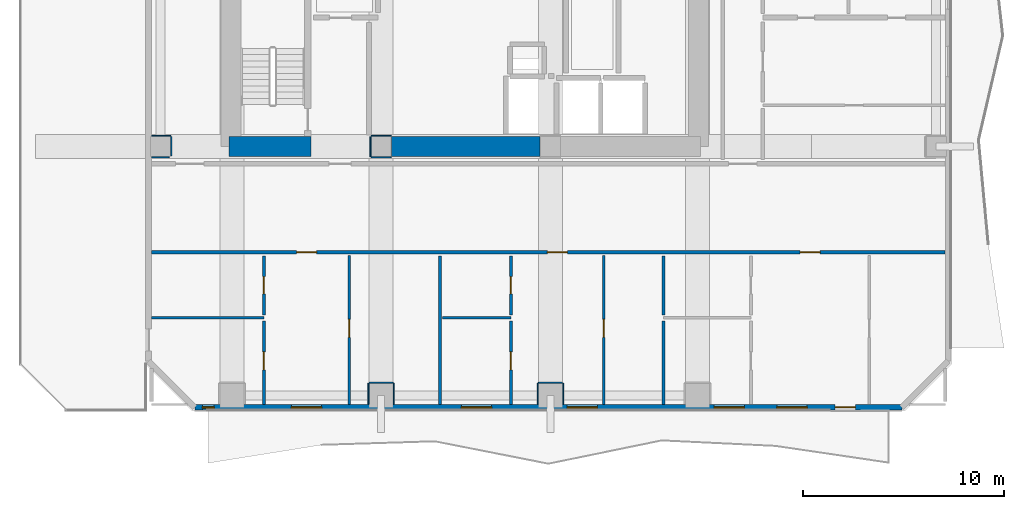
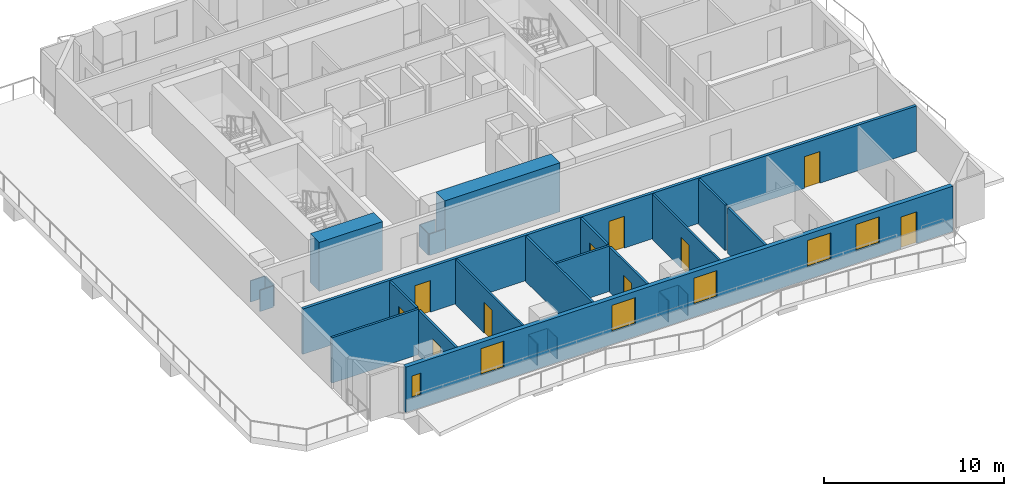
# One storey, part 2 of 10: 27 walls, 10 doors, 6 windows, 16 openings.
"""IFC4 building model written with IfcOpenShell, lengths in metres."""

from ifc_helpers import new_model, si_unit, direction, frame, frame_2d, origin, place, context, subcontext, project, spatial, rectangle, extrude, material, layer, layer_set, type_object, element, fill, save


model = new_model("IFC4")

# Units and contexts
model_context = context("Model", 3, precision=1e-05, world=origin(), true_north=direction((0.0, 1.0)))
body_context = subcontext(model_context, "Body", "Model", "MODEL_VIEW")
ifc_project = project(units=[si_unit("LENGTHUNIT", "METRE"), si_unit("AREAUNIT", "SQUARE_METRE"), si_unit("VOLUMEUNIT", "CUBIC_METRE"), si_unit("PLANEANGLEUNIT", "RADIAN"), si_unit("MASSUNIT", "GRAM", prefix="KILO")], contexts=[model_context])

# Site, building, storey
site_placement = place(None, origin())
site = spatial("IfcSite", under=ifc_project, at=site_placement, CompositionType="ELEMENT")
building_placement = place(site_placement, origin())
building = spatial("IfcBuilding", under=site, at=building_placement, Name="Solanera Arch Residences", CompositionType="ELEMENT")
storey_placement = place(building_placement, frame((0.0, 0.0, 126.0)))
storey = spatial("IfcBuildingStorey", under=building, at=storey_placement, Name="L36", CompositionType="ELEMENT", Elevation=126.0)

# Walls
ifc_material_1 = material(Name="Fire-Rated Gypsum Stud Partition", Category="gypsum")
ifc_layer_1 = layer(ifc_material_1, 0.06005859375)
ifc_layer_set_1 = layer_set([ifc_layer_1], Name="Fire-Rated Gypsum Stud Partition")
wall_type_1 = type_object("IfcWallType", Name="Column Acoustic Furring Wall 60", PredefinedType="PARTITIONING", material=ifc_layer_set_1)
for number, where, z_axis, x_axis, name in (
    (1, (20.300048828125, 21.468017578125, 0.0), (0.0, 0.0, 1.0), (1.0, 0.0, 0.0), "L36 Column Furring 1S"),
    (2, (20.300048828125, 22.531982421875, 0.0), (0.0, 0.0, 1.0), (1.0, 0.0, 0.0), "L36 Column Furring 1N"),
    (3, (20.26806640625, 21.5, 0.0), (0.0, 0.0, 1.0), (0.0, 1.0, 0.0), "L36 Column Furring 1W"),
):
    element("IfcWall", number, at=place(storey_placement, frame(where, z_axis=z_axis, x_axis=x_axis)), inside=storey, type_object=wall_type_1, Name=name, PredefinedType="PARTITIONING", context=body_context, shape_type="SweptSolid", body=[
        extrude(rectangle(XDim=1.0, YDim=0.06005859375, at=frame_2d((0.5, 0.0))), origin(), (0.0, 0.0, 1.0), 1.449951171875),
    ])
wall_1_placement = place(storey_placement, frame((20.199951171875, 10.281982421875, 0.0), z_axis=(0.0, 0.0, 1.0), x_axis=(1.0, 0.0, 0.0)))
element("IfcWall", 4, at=wall_1_placement, inside=storey, type_object=wall_type_1, Name="L36 Column Furring 11N", PredefinedType="PARTITIONING", context=body_context, shape_type="SweptSolid", body=[
    extrude(rectangle(XDim=1.199951171875, YDim=0.06005859375, at=frame_2d((0.60009765625, 0.0))), origin(), (0.0, 0.0, 1.0), 1.449951171875),
])
for number, where, z_axis, x_axis, name in (
    (5, (20.16796875, 9.2099609375, 0.0), (0.0, 0.0, 1.0), (0.0, 1.0, 0.0), "L36 Column Furring 11W"),
    (6, (21.431884765625, 9.2099609375, 0.0), (0.0, 0.0, 1.0), (0.0, 1.0, 0.0), "L36 Column Furring 11E"),
):
    element("IfcWall", number, at=place(storey_placement, frame(where, z_axis=z_axis, x_axis=x_axis)), inside=storey, type_object=wall_type_1, Name=name, PredefinedType="PARTITIONING", context=body_context, shape_type="SweptSolid", body=[
        extrude(rectangle(XDim=1.0400390625, YDim=0.06005859375, at=frame_2d((0.52001953125, 0.0))), origin(), (0.0, 0.0, 1.0), 1.449951171875),
    ])
wall_2_placement = place(storey_placement, frame((28.60009765625, 10.281982421875, 0.0), z_axis=(0.0, 0.0, 1.0), x_axis=(1.0, 0.0, 0.0)))
element("IfcWall", 7, at=wall_2_placement, inside=storey, type_object=wall_type_1, Name="L36 Column Furring 13N", PredefinedType="PARTITIONING", context=body_context, shape_type="SweptSolid", body=[
    extrude(rectangle(XDim=1.199951171875, YDim=0.06005859375, at=frame_2d((0.60009765625, 0.0))), origin(), (0.0, 0.0, 1.0), 1.449951171875),
])
for number, where, z_axis, x_axis, name in (
    (8, (28.568115234375, 9.2099609375, 0.0), (0.0, 0.0, 1.0), (0.0, 1.0, 0.0), "L36 Column Furring 13W"),
    (9, (29.83203125, 9.2099609375, 0.0), (0.0, 0.0, 1.0), (0.0, 1.0, 0.0), "L36 Column Furring 13E"),
):
    element("IfcWall", number, at=place(storey_placement, frame(where, z_axis=z_axis, x_axis=x_axis)), inside=storey, type_object=wall_type_1, Name=name, PredefinedType="PARTITIONING", context=body_context, shape_type="SweptSolid", body=[
        extrude(rectangle(XDim=1.0400390625, YDim=0.06005859375, at=frame_2d((0.52001953125, 0.0))), origin(), (0.0, 0.0, 1.0), 1.449951171875),
    ])
wall_3_placement = place(storey_placement, frame((9.409912109375, 21.468017578125, 0.0), z_axis=(0.0, 0.0, 1.0), x_axis=(1.0, 0.0, 0.0)))
element("IfcWall", 10, at=wall_3_placement, inside=storey, type_object=wall_type_1, Name="L36 Column Furring 17S", PredefinedType="PARTITIONING", context=body_context, shape_type="SweptSolid", body=[
    extrude(rectangle(XDim=0.87109375, YDim=0.06005859375, at=frame_2d((0.435546875, 0.0))), origin(), (0.0, 0.0, 1.0), 1.449951171875),
])
wall_4_placement = place(storey_placement, frame((9.409912109375, 22.531982421875, 0.0), z_axis=(0.0, 0.0, 1.0), x_axis=(1.0, 0.0, 0.0)))
element("IfcWall", 11, at=wall_4_placement, inside=storey, type_object=wall_type_1, Name="L36 Column Furring 17N", PredefinedType="PARTITIONING", context=body_context, shape_type="SweptSolid", body=[
    extrude(rectangle(XDim=0.940185546875, YDim=0.06005859375, at=frame_2d((0.47021484375, 0.0))), origin(), (0.0, 0.0, 1.0), 1.449951171875),
])
wall_5_placement = place(storey_placement, frame((10.382080078125, 21.5439453125, 0.0), z_axis=(0.0, 0.0, 1.0), x_axis=(0.0, 1.0, 0.0)))
element("IfcWall", 12, at=wall_5_placement, inside=storey, type_object=wall_type_1, Name="L36 Column Furring 17E", PredefinedType="PARTITIONING", context=body_context, shape_type="SweptSolid", body=[
    extrude(rectangle(XDim=0.9560546875, YDim=0.06005859375, at=frame_2d((0.47802734375, 0.0))), origin(), (0.0, 0.0, 1.0), 1.449951171875),
])
ifc_material_2 = material(Name="Concrete C55/67 (f'c = 60 MPa)", Category="concrete")
ifc_layer_2 = layer(ifc_material_2, 1.0)
ifc_layer_set_2 = layer_set([ifc_layer_2], Name="Concrete C55/67 (f'c = 60 MPa)")
wall_type_2 = type_object("IfcWallType", Name="Core Shear Wall CW-1000", PredefinedType="SHEAR", material=ifc_layer_set_2)
wall_6_placement = place(storey_placement, frame((13.239990234375, 22.0, 0.0), z_axis=(0.0, 0.0, 1.0), x_axis=(1.0, 0.0, 0.0)))
element("IfcWall", 13, at=wall_6_placement, inside=storey, type_object=wall_type_2, Name="L36 South-West Core Shear Wall", PredefinedType="SHEAR", context=body_context, shape_type="SweptSolid", body=[
    extrude(rectangle(XDim=4.080078125, YDim=1.0, at=frame_2d((2.0400390625, 0.0))), origin(), (0.0, 0.0, 1.0), 3.320068359375),
])
wall_7_placement = place(storey_placement, frame((21.304931640625, 22.0, 0.0), z_axis=(0.0, 0.0, 1.0), x_axis=(1.0, 0.0, 0.0)))
element("IfcWall", 14, at=wall_7_placement, inside=storey, type_object=wall_type_2, Name="L36 Central South Core Shear Wall", PredefinedType="SHEAR", context=body_context, shape_type="SweptSolid", body=[
    extrude(rectangle(XDim=7.39013671875, YDim=1.0, at=frame_2d((3.695068359375, 0.0))), origin(), (0.0, 0.0, 1.0), 3.320068359375),
])

# Wall, openings, doors
ifc_material_3 = material(Name="Autoclaved Aerated Concrete Blockwork", Category="masonry")
ifc_layer_3 = layer(ifc_material_3, 0.179931640625)
ifc_layer_set_3 = layer_set([ifc_layer_3], Name="Autoclaved Aerated Concrete Blockwork")
wall_type_3 = type_object("IfcWallType", Name="Corridor Fire Partition 180", PredefinedType="PARTITIONING", material=ifc_layer_set_3)
wall_8_placement = place(storey_placement, frame((9.406982421875, 16.75, 0.0), z_axis=(0.0, 0.0, 1.0), x_axis=(1.0, 0.0, 0.0)))
wall_8 = element("IfcWall", 15, at=wall_8_placement, inside=storey, type_object=wall_type_3, Name="L36 Interior Partition H7", PredefinedType="PARTITIONING", context=body_context, shape_type="SweptSolid", body=[
    extrude(rectangle(XDim=39.385986328125, YDim=0.179931640625, at=frame_2d((19.69287109375, 0.0))), origin(), (0.0, 0.0, 1.0), 3.080078125),
])
opening_1_placement = place(wall_8_placement, frame((7.193115234375, 0.0, 0.0)))
opening_1 = element("IfcOpeningElement", 16, at=opening_1_placement, cuts=wall_8, Name="Opening DI-01", PredefinedType="OPENING", context=body_context, shape_type="SweptSolid", body=[
    extrude(rectangle(XDim=1.0, YDim=2.14990234375, at=frame_2d((0.5, 1.074951171875))), frame((0.0, 0.10009765625, 0.0), z_axis=(0.0, -1.0, 0.0), x_axis=(1.0, 0.0, 0.0)), (0.0, 0.0, 1.0), 0.1999),
])
opening_2_placement = place(wall_8_placement, frame((19.639892578125, 0.0, 0.0)))
opening_2 = element("IfcOpeningElement", 17, at=opening_2_placement, cuts=wall_8, Name="Opening DI-01", PredefinedType="OPENING", context=body_context, shape_type="SweptSolid", body=[
    extrude(rectangle(XDim=1.0, YDim=2.14990234375, at=frame_2d((0.5, 1.074951171875))), frame((0.0, 0.10009765625, 0.0), z_axis=(0.0, -1.0, 0.0), x_axis=(1.0, 0.0, 0.0)), (0.0, 0.0, 1.0), 0.1999),
])
opening_3_placement = place(wall_8_placement, frame((32.18310546875, 0.0, 0.0)))
opening_3 = element("IfcOpeningElement", 18, at=opening_3_placement, cuts=wall_8, Name="Opening DI-01", PredefinedType="OPENING", context=body_context, shape_type="SweptSolid", body=[
    extrude(rectangle(XDim=1.0, YDim=2.14990234375, at=frame_2d((0.5, 1.074951171875))), frame((0.0, 0.10009765625, 0.0), z_axis=(0.0, -1.0, 0.0), x_axis=(1.0, 0.0, 0.0)), (0.0, 0.0, 1.0), 0.1999),
])
ifc_material_4 = material(Name="Fire-Rated Architectural Hardwood", Category="wood")
door_type_1 = type_object("IfcDoorType", Name="Unit Entrance Fire Door DI-01", OperationType="NOTDEFINED", PredefinedType="DOOR", material=ifc_material_4)
door_1_placement = place(opening_1_placement, origin())
door_1 = element("IfcDoor", 19, at=door_1_placement, inside=storey, type_object=door_type_1, Name="DR-L36-IN-016", OperationType="SINGLE_SWING_LEFT", OverallHeight=2.14990234375, OverallWidth=1.0, PredefinedType="DOOR", context=body_context, shape_type="SweptSolid", body=[
    extrude(rectangle(XDim=1.0, YDim=2.14990234375, at=frame_2d((0.5, 1.074951171875))), frame((0.0, 0.02490234375, 0.0), z_axis=(0.0, -1.0, 0.0), x_axis=(1.0, 0.0, 0.0)), (0.0, 0.0, 1.0), 0.050048828125),
])
fill(opening_1, door_1)
door_2_placement = place(opening_2_placement, origin())
door_2 = element("IfcDoor", 20, at=door_2_placement, inside=storey, type_object=door_type_1, Name="DR-L36-IN-020", OperationType="SINGLE_SWING_LEFT", OverallHeight=2.14990234375, OverallWidth=1.0, PredefinedType="DOOR", context=body_context, shape_type="SweptSolid", body=[
    extrude(rectangle(XDim=1.0, YDim=2.14990234375, at=frame_2d((0.5, 1.074951171875))), frame((0.0, 0.02490234375, 0.0), z_axis=(0.0, -1.0, 0.0), x_axis=(1.0, 0.0, 0.0)), (0.0, 0.0, 1.0), 0.050048828125),
])
fill(opening_2, door_2)
door_3_placement = place(opening_3_placement, origin())
door_3 = element("IfcDoor", 21, at=door_3_placement, inside=storey, type_object=door_type_1, Name="DR-L36-IN-024", OperationType="SINGLE_SWING_LEFT", OverallHeight=2.14990234375, OverallWidth=1.0, PredefinedType="DOOR", context=body_context, shape_type="SweptSolid", body=[
    extrude(rectangle(XDim=1.0, YDim=2.14990234375, at=frame_2d((0.5, 1.074951171875))), frame((0.0, 0.02490234375, 0.0), z_axis=(0.0, -1.0, 0.0), x_axis=(1.0, 0.0, 0.0)), (0.0, 0.0, 1.0), 0.050048828125),
])
fill(opening_3, door_3)

# Wall, openings, door, windows
ifc_material_5 = material(Name="Precast Concrete C35/45", Category="concrete")
ifc_layer_4 = layer(ifc_material_5, 0.280029296875)
ifc_layer_set_4 = layer_set([ifc_layer_4], Name="Precast Concrete C35/45")
wall_type_4 = type_object("IfcWallType", Name="Exterior Wall Precast Masonry-Frame 280", PredefinedType="STANDARD", material=ifc_layer_set_4)
wall_9_placement = place(storey_placement, frame((46.64501953125, 9.054931640625, 0.0), z_axis=(0.0, 0.0, 1.0), x_axis=(-1.0, 0.0, 0.0)))
wall_9 = element("IfcWall", 22, at=wall_9_placement, inside=storey, type_object=wall_type_4, Name="L36 Tower Exterior Precast Masonry-Frame Wall S", PredefinedType="STANDARD", context=body_context, shape_type="SweptSolid", body=[
    extrude(rectangle(XDim=35.090087890625, YDim=0.280029296875, at=frame_2d((17.544921875, 0.0))), origin(), (0.0, 0.0, 1.0), 3.080078125),
])
opening_4_placement = place(wall_9_placement, frame((2.306884765625, 0.0, 0.0)))
opening_4 = element("IfcOpeningElement", 23, at=opening_4_placement, cuts=wall_9, Name="Opening DB-01", PredefinedType="OPENING", context=body_context, shape_type="SweptSolid", body=[
    extrude(rectangle(XDim=1.0, YDim=2.14990234375, at=frame_2d((0.5, 1.074951171875))), frame((0.0, 0.14990234375, 0.0), z_axis=(0.0, -1.0, 0.0), x_axis=(1.0, 0.0, 0.0)), (0.0, 0.0, 1.0), 0.3),
])
opening_5_placement = place(wall_9_placement, frame((28.794921875, 0.0, 0.85009765625)))
opening_5 = element("IfcOpeningElement", 24, at=opening_5_placement, cuts=wall_9, Name="Opening W-02", PredefinedType="OPENING", context=body_context, shape_type="SweptSolid", body=[
    extrude(rectangle(XDim=1.5, YDim=1.800048828125, at=frame_2d((0.75, 0.89990234375))), frame((0.0, 0.14990234375, 0.0), z_axis=(0.0, -1.0, 0.0), x_axis=(1.0, 0.0, 0.0)), (0.0, 0.0, 1.0), 0.3),
])
opening_6_placement = place(wall_9_placement, frame((34.133056640625, 0.0, 0.85009765625)))
opening_6 = element("IfcOpeningElement", 25, at=opening_6_placement, cuts=wall_9, Name="Opening W-14", PredefinedType="OPENING", context=body_context, shape_type="SweptSolid", body=[
    extrude(rectangle(XDim=0.580078125, YDim=1.5, at=frame_2d((0.2900390625, 0.75))), frame((0.0, 0.14990234375, 0.0), z_axis=(0.0, -1.0, 0.0), x_axis=(1.0, 0.0, 0.0)), (0.0, 0.0, 1.0), 0.3),
])
opening_7_placement = place(wall_9_placement, frame((15.117919921875, 0.0, 0.85009765625)))
opening_7 = element("IfcOpeningElement", 26, at=opening_7_placement, cuts=wall_9, Name="Opening W-02", PredefinedType="OPENING", context=body_context, shape_type="SweptSolid", body=[
    extrude(rectangle(XDim=1.5, YDim=1.800048828125, at=frame_2d((0.75, 0.89990234375))), frame((0.0, 0.14990234375, 0.0), z_axis=(0.0, -1.0, 0.0), x_axis=(1.0, 0.0, 0.0)), (0.0, 0.0, 1.0), 0.3),
])
opening_8_placement = place(wall_9_placement, frame((20.35693359375, 0.0, 0.85009765625)))
opening_8 = element("IfcOpeningElement", 27, at=opening_8_placement, cuts=wall_9, Name="Opening W-02", PredefinedType="OPENING", context=body_context, shape_type="SweptSolid", body=[
    extrude(rectangle(XDim=1.5, YDim=1.800048828125, at=frame_2d((0.75, 0.89990234375))), frame((0.0, 0.14990234375, 0.0), z_axis=(0.0, -1.0, 0.0), x_axis=(1.0, 0.0, 0.0)), (0.0, 0.0, 1.0), 0.3),
])
opening_9_placement = place(wall_9_placement, frame((4.698974609375, 0.0, 0.85009765625)))
opening_9 = element("IfcOpeningElement", 28, at=opening_9_placement, cuts=wall_9, Name="Opening W-02", PredefinedType="OPENING", context=body_context, shape_type="SweptSolid", body=[
    extrude(rectangle(XDim=1.5, YDim=1.800048828125, at=frame_2d((0.75, 0.89990234375))), frame((0.0, 0.14990234375, 0.0), z_axis=(0.0, -1.0, 0.0), x_axis=(1.0, 0.0, 0.0)), (0.0, 0.0, 1.0), 0.3),
])
opening_10_placement = place(wall_9_placement, frame((7.818115234375, 0.0, 0.85009765625)))
opening_10 = element("IfcOpeningElement", 29, at=opening_10_placement, cuts=wall_9, Name="Opening W-02", PredefinedType="OPENING", context=body_context, shape_type="SweptSolid", body=[
    extrude(rectangle(XDim=1.5, YDim=1.800048828125, at=frame_2d((0.75, 0.89990234375))), frame((0.0, 0.14990234375, 0.0), z_axis=(0.0, -1.0, 0.0), x_axis=(1.0, 0.0, 0.0)), (0.0, 0.0, 1.0), 0.3),
])
ifc_material_6 = material(Name="Anodised Aluminium Alloy 6063-T6", Category="aluminium")
door_type_2 = type_object("IfcDoorType", Name="Glazed Balcony Swing Door DB-01", OperationType="NOTDEFINED", PredefinedType="DOOR", material=ifc_material_6)
door_4_placement = place(opening_4_placement, origin())
door_4 = element("IfcDoor", 30, at=door_4_placement, inside=storey, type_object=door_type_2, Name="DR-L36-OUT-02", OperationType="SINGLE_SWING_LEFT", OverallHeight=2.14990234375, OverallWidth=1.0, PredefinedType="DOOR", context=body_context, shape_type="SweptSolid", body=[
    extrude(rectangle(XDim=1.0, YDim=2.14990234375, at=frame_2d((0.5, 1.074951171875))), frame((0.0, 0.02490234375, 0.0), z_axis=(0.0, -1.0, 0.0), x_axis=(1.0, 0.0, 0.0)), (0.0, 0.0, 1.0), 0.050048828125),
])
fill(opening_4, door_4)
ifc_material_7 = material(Name="Double Glazed Low-E Laminated Glass", Category="glass")
window_type_1 = type_object("IfcWindowType", Name="Punched Window W-02", PartitioningType="DOUBLE_PANEL_VERTICAL", PredefinedType="WINDOW", material=ifc_material_7)
window_1_placement = place(opening_5_placement, origin())
window_1 = element("IfcWindow", 31, at=window_1_placement, inside=storey, type_object=window_type_1, Name="L36 3601-LIV Punched Window", OverallHeight=1.800048828125, OverallWidth=1.5, PartitioningType="SINGLE_PANEL", PredefinedType="WINDOW", context=body_context, shape_type="SweptSolid", body=[
    extrude(rectangle(XDim=1.5, YDim=1.800048828125, at=frame_2d((0.75, 0.89990234375))), frame((0.0, 0.030029296875, 0.0), z_axis=(0.0, -1.0, 0.0), x_axis=(1.0, 0.0, 0.0)), (0.0, 0.0, 1.0), 0.06005859375),
])
fill(opening_5, window_1)
window_2_placement = place(opening_7_placement, origin())
window_2 = element("IfcWindow", 32, at=window_2_placement, inside=storey, type_object=window_type_1, Name="L36 3602-LIV Punched Window", OverallHeight=1.800048828125, OverallWidth=1.5, PartitioningType="SINGLE_PANEL", PredefinedType="WINDOW", context=body_context, shape_type="SweptSolid", body=[
    extrude(rectangle(XDim=1.5, YDim=1.800048828125, at=frame_2d((0.75, 0.89990234375))), frame((0.0, 0.030029296875, 0.0), z_axis=(0.0, -1.0, 0.0), x_axis=(1.0, 0.0, 0.0)), (0.0, 0.0, 1.0), 0.06005859375),
])
fill(opening_7, window_2)
window_3_placement = place(opening_8_placement, origin())
window_3 = element("IfcWindow", 33, at=window_3_placement, inside=storey, type_object=window_type_1, Name="L36 3602-BR1 Punched Window", OverallHeight=1.800048828125, OverallWidth=1.5, PartitioningType="SINGLE_PANEL", PredefinedType="WINDOW", context=body_context, shape_type="SweptSolid", body=[
    extrude(rectangle(XDim=1.5, YDim=1.800048828125, at=frame_2d((0.75, 0.89990234375))), frame((0.0, 0.030029296875, 0.0), z_axis=(0.0, -1.0, 0.0), x_axis=(1.0, 0.0, 0.0)), (0.0, 0.0, 1.0), 0.06005859375),
])
fill(opening_8, window_3)
window_4_placement = place(opening_9_placement, origin())
window_4 = element("IfcWindow", 34, at=window_4_placement, inside=storey, type_object=window_type_1, Name="L36 3603-LIV Punched Window", OverallHeight=1.800048828125, OverallWidth=1.5, PartitioningType="SINGLE_PANEL", PredefinedType="WINDOW", context=body_context, shape_type="SweptSolid", body=[
    extrude(rectangle(XDim=1.5, YDim=1.800048828125, at=frame_2d((0.75, 0.89990234375))), frame((0.0, 0.030029296875, 0.0), z_axis=(0.0, -1.0, 0.0), x_axis=(1.0, 0.0, 0.0)), (0.0, 0.0, 1.0), 0.06005859375),
])
fill(opening_9, window_4)
window_5_placement = place(opening_10_placement, origin())
window_5 = element("IfcWindow", 35, at=window_5_placement, inside=storey, type_object=window_type_1, Name="L36 3603-BR1 Punched Window", OverallHeight=1.800048828125, OverallWidth=1.5, PartitioningType="SINGLE_PANEL", PredefinedType="WINDOW", context=body_context, shape_type="SweptSolid", body=[
    extrude(rectangle(XDim=1.5, YDim=1.800048828125, at=frame_2d((0.75, 0.89990234375))), frame((0.0, 0.030029296875, 0.0), z_axis=(0.0, -1.0, 0.0), x_axis=(1.0, 0.0, 0.0)), (0.0, 0.0, 1.0), 0.06005859375),
])
fill(opening_10, window_5)
ifc_material_8 = material(Name="Double Glazed Low-E Laminated Glass", Category="glass")
window_type_2 = type_object("IfcWindowType", Name="Punched Window W-14", PartitioningType="SINGLE_PANEL", PredefinedType="WINDOW", material=ifc_material_8)
window_6_placement = place(opening_6_placement, origin())
window_6 = element("IfcWindow", 36, at=window_6_placement, inside=storey, type_object=window_type_2, Name="L36 3601-BR1 Punched Window", OverallHeight=1.5, OverallWidth=0.580078125, PartitioningType="SINGLE_PANEL", PredefinedType="WINDOW", context=body_context, shape_type="SweptSolid", body=[
    extrude(rectangle(XDim=0.580078125, YDim=1.5, at=frame_2d((0.2900390625, 0.75))), frame((0.0, 0.030029296875, 0.0), z_axis=(0.0, -1.0, 0.0), x_axis=(1.0, 0.0, 0.0)), (0.0, 0.0, 1.0), 0.06005859375),
])
fill(opening_6, window_6)

# Wall, opening, door
ifc_material_9 = material(Name="Fire-Rated Gypsum Stud Partition", Category="gypsum")
ifc_layer_5 = layer(ifc_material_9, 0.1201171875)
ifc_layer_set_5 = layer_set([ifc_layer_5], Name="Fire-Rated Gypsum Stud Partition")
wall_type_5 = type_object("IfcWallType", Name="Unit Drywall Partition 120", PredefinedType="PARTITIONING", material=ifc_layer_set_5)
wall_10_placement = place(storey_placement, frame((19.219970703125, 9.20703125, 0.0), z_axis=(0.0, 0.0, 1.0), x_axis=(0.0, 1.0, 0.0)))
wall_10 = element("IfcWall", 37, at=wall_10_placement, inside=storey, type_object=wall_type_5, Name="L36 Interior Partition V25", PredefinedType="PARTITIONING", context=body_context, shape_type="SweptSolid", body=[
    extrude(rectangle(XDim=7.385009765625, YDim=0.1201171875, at=frame_2d((3.6923828125, 0.0))), origin(), (0.0, 0.0, 1.0), 3.080078125),
])
opening_11_placement = place(wall_10_placement, frame((3.318115234375, 0.0, 0.0)))
opening_11 = element("IfcOpeningElement", 38, at=opening_11_placement, cuts=wall_10, Name="Opening DI-02", PredefinedType="OPENING", context=body_context, shape_type="SweptSolid", body=[
    extrude(rectangle(XDim=0.89990234375, YDim=2.10009765625, at=frame_2d((0.449951171875, 1.050048828125))), frame((0.0, 0.070068359375, 0.0), z_axis=(0.0, -1.0, 0.0), x_axis=(1.0, 0.0, 0.0)), (0.0, 0.0, 1.0), 0.1401),
])
ifc_material_10 = material(Name="Fire-Rated Architectural Hardwood", Category="wood")
door_type_3 = type_object("IfcDoorType", Name="Suite Room Swing Door DI-02", OperationType="NOTDEFINED", PredefinedType="DOOR", material=ifc_material_10)
door_5_placement = place(opening_11_placement, origin())
door_5 = element("IfcDoor", 39, at=door_5_placement, inside=storey, type_object=door_type_3, Name="DR-L36-IN-019", OperationType="SINGLE_SWING_RIGHT", OverallHeight=2.10009765625, OverallWidth=0.89990234375, PredefinedType="DOOR", context=body_context, shape_type="SweptSolid", body=[
    extrude(rectangle(XDim=0.89990234375, YDim=2.10009765625, at=frame_2d((0.449951171875, 1.050048828125))), frame((0.0, 0.02490234375, 0.0), z_axis=(0.0, -1.0, 0.0), x_axis=(1.0, 0.0, 0.0)), (0.0, 0.0, 1.0), 0.050048828125),
])
fill(opening_11, door_5)

wall_11_placement = place(storey_placement, frame((31.85400390625, 9.20703125, 0.0), z_axis=(0.0, 0.0, 1.0), x_axis=(0.0, 1.0, 0.0)))
wall_11 = element("IfcWall", 40, at=wall_11_placement, inside=storey, type_object=wall_type_5, Name="L36 Interior Partition V28", PredefinedType="PARTITIONING", context=body_context, shape_type="SweptSolid", body=[
    extrude(rectangle(XDim=7.385009765625, YDim=0.1201171875, at=frame_2d((3.6923828125, 0.0))), origin(), (0.0, 0.0, 1.0), 3.080078125),
])
opening_12_placement = place(wall_11_placement, frame((3.318115234375, 0.0, 0.0)))
opening_12 = element("IfcOpeningElement", 41, at=opening_12_placement, cuts=wall_11, Name="Opening DI-02", PredefinedType="OPENING", context=body_context, shape_type="SweptSolid", body=[
    extrude(rectangle(XDim=0.89990234375, YDim=2.10009765625, at=frame_2d((0.449951171875, 1.050048828125))), frame((0.0, 0.070068359375, 0.0), z_axis=(0.0, -1.0, 0.0), x_axis=(1.0, 0.0, 0.0)), (0.0, 0.0, 1.0), 0.1401),
])
door_6_placement = place(opening_12_placement, origin())
door_6 = element("IfcDoor", 42, at=door_6_placement, inside=storey, type_object=door_type_3, Name="DR-L36-IN-023", OperationType="SINGLE_SWING_RIGHT", OverallHeight=2.10009765625, OverallWidth=0.89990234375, PredefinedType="DOOR", context=body_context, shape_type="SweptSolid", body=[
    extrude(rectangle(XDim=0.89990234375, YDim=2.10009765625, at=frame_2d((0.449951171875, 1.050048828125))), frame((0.0, 0.02490234375, 0.0), z_axis=(0.0, -1.0, 0.0), x_axis=(1.0, 0.0, 0.0)), (0.0, 0.0, 1.0), 0.050048828125),
])
fill(opening_12, door_6)

# Walls
ifc_material_11 = material(Name="Autoclaved Aerated Concrete Blockwork", Category="masonry")
ifc_layer_6 = layer(ifc_material_11, 0.139892578125)
ifc_layer_set_6 = layer_set([ifc_layer_6], Name="Autoclaved Aerated Concrete Blockwork")
wall_type_6 = type_object("IfcWallType", Name="Wet-Room Partition 140", PredefinedType="PARTITIONING", material=ifc_layer_set_6)
wall_12_placement = place(storey_placement, frame((9.406982421875, 13.50390625, 0.0), z_axis=(0.0, 0.0, 1.0), x_axis=(1.0, 0.0, 0.0)))
element("IfcWall", 43, at=wall_12_placement, inside=storey, type_object=wall_type_6, Name="L36 Interior Partition H14", PredefinedType="PARTITIONING", context=body_context, shape_type="SweptSolid", body=[
    extrude(rectangle(XDim=5.572998046875, YDim=0.139892578125, at=frame_2d((2.78662109375, 0.0))), origin(), (0.0, 0.0, 1.0), 3.080078125),
])
wall_13_placement = place(storey_placement, frame((23.8359375, 13.50390625, 0.0), z_axis=(0.0, 0.0, 1.0), x_axis=(1.0, 0.0, 0.0)))
element("IfcWall", 44, at=wall_13_placement, inside=storey, type_object=wall_type_6, Name="L36 Interior Partition H15", PredefinedType="PARTITIONING", context=body_context, shape_type="SweptSolid", body=[
    extrude(rectangle(XDim=3.405029296875, YDim=0.139892578125, at=frame_2d((1.70263671875, 0.0))), origin(), (0.0, 0.0, 1.0), 3.080078125),
])

# Wall, opening, door
wall_14_placement = place(storey_placement, frame((14.97998046875, 9.20703125, 0.0), z_axis=(0.0, 0.0, 1.0), x_axis=(0.0, 1.0, 0.0)))
wall_14 = element("IfcWall", 45, at=wall_14_placement, inside=storey, type_object=wall_type_6, Name="L36 Interior Partition V15 1", PredefinedType="PARTITIONING", context=body_context, shape_type="SweptSolid", body=[
    extrude(rectangle(XDim=4.14892578125, YDim=0.139892578125, at=frame_2d((2.074462890625, 0.0))), origin(), (0.0, 0.0, 1.0), 3.080078125),
])
opening_13_placement = place(wall_14_placement, frame((1.7080078125, 0.0, 0.0)))
opening_13 = element("IfcOpeningElement", 46, at=opening_13_placement, cuts=wall_14, Name="Opening DI-03", PredefinedType="OPENING", context=body_context, shape_type="SweptSolid", body=[
    extrude(rectangle(XDim=0.89990234375, YDim=2.10009765625, at=frame_2d((0.449951171875, 1.050048828125))), frame((0.0, 0.079833984375, 0.0), z_axis=(0.0, -1.0, 0.0), x_axis=(1.0, 0.0, 0.0)), (0.0, 0.0, 1.0), 0.1599),
])
ifc_material_12 = material(Name="Fire-Rated Architectural Hardwood", Category="wood")
door_type_4 = type_object("IfcDoorType", Name="Bedroom Swing Door DI-03", OperationType="NOTDEFINED", PredefinedType="DOOR", material=ifc_material_12)
door_7_placement = place(opening_13_placement, origin())
door_7 = element("IfcDoor", 47, at=door_7_placement, inside=storey, type_object=door_type_4, Name="DR-L36-IN-018", OperationType="SINGLE_SWING_LEFT", OverallHeight=2.10009765625, OverallWidth=0.89990234375, PredefinedType="DOOR", context=body_context, shape_type="SweptSolid", body=[
    extrude(rectangle(XDim=0.89990234375, YDim=2.10009765625, at=frame_2d((0.449951171875, 1.050048828125))), frame((0.0, 0.02490234375, 0.0), z_axis=(0.0, -1.0, 0.0), x_axis=(1.0, 0.0, 0.0)), (0.0, 0.0, 1.0), 0.050048828125),
])
fill(opening_13, door_7)

wall_15_placement = place(storey_placement, frame((14.97998046875, 13.652099609375, 0.0), z_axis=(0.0, 0.0, 1.0), x_axis=(0.0, 1.0, 0.0)))
wall_15 = element("IfcWall", 48, at=wall_15_placement, inside=storey, type_object=wall_type_6, Name="L36 Interior Partition V15 2", PredefinedType="PARTITIONING", context=body_context, shape_type="SweptSolid", body=[
    extrude(rectangle(XDim=2.929931640625, YDim=0.139892578125, at=frame_2d((1.46484375, 0.0))), origin(), (0.0, 0.0, 1.0), 3.080078125),
])
opening_14_placement = place(wall_15_placement, frame((1.031982421875, 0.0, 0.0)))
opening_14 = element("IfcOpeningElement", 49, at=opening_14_placement, cuts=wall_15, Name="Opening DI-05", PredefinedType="OPENING", context=body_context, shape_type="SweptSolid", body=[
    extrude(rectangle(XDim=0.860107421875, YDim=2.02001953125, at=frame_2d((0.43017578125, 1.010009765625))), frame((0.0, 0.079833984375, 0.0), z_axis=(0.0, -1.0, 0.0), x_axis=(1.0, 0.0, 0.0)), (0.0, 0.0, 1.0), 0.1599),
])
ifc_material_13 = material(Name="Fire-Rated Architectural Hardwood", Category="wood")
door_type_5 = type_object("IfcDoorType", Name="Bathroom Swing Door DI-05", OperationType="NOTDEFINED", PredefinedType="DOOR", material=ifc_material_13)
door_8_placement = place(opening_14_placement, origin())
door_8 = element("IfcDoor", 50, at=door_8_placement, inside=storey, type_object=door_type_5, Name="DR-L36-IN-017", OperationType="SINGLE_SWING_RIGHT", OverallHeight=2.02001953125, OverallWidth=0.860107421875, PredefinedType="DOOR", context=body_context, shape_type="SweptSolid", body=[
    extrude(rectangle(XDim=0.860107421875, YDim=2.02001953125, at=frame_2d((0.43017578125, 1.010009765625))), frame((0.0, 0.02490234375, 0.0), z_axis=(0.0, -1.0, 0.0), x_axis=(1.0, 0.0, 0.0)), (0.0, 0.0, 1.0), 0.050048828125),
])
fill(opening_14, door_8)

# Wall
wall_16_placement = place(storey_placement, frame((23.72607421875, 9.20703125, 0.0), z_axis=(0.0, 0.0, 1.0), x_axis=(0.0, 1.0, 0.0)))
element("IfcWall", 51, at=wall_16_placement, inside=storey, type_object=wall_type_6, Name="L36 Interior Partition V16", PredefinedType="PARTITIONING", context=body_context, shape_type="SweptSolid", body=[
    extrude(rectangle(XDim=7.375, YDim=0.139892578125, at=frame_2d((3.6875, 0.0))), origin(), (0.0, 0.0, 1.0), 3.080078125),
])

# Wall, opening, door
wall_17_placement = place(storey_placement, frame((27.240966796875, 9.20703125, 0.0), z_axis=(0.0, 0.0, 1.0), x_axis=(0.0, 1.0, 0.0)))
wall_17 = element("IfcWall", 52, at=wall_17_placement, inside=storey, type_object=wall_type_6, Name="L36 Interior Partition V19 1", PredefinedType="PARTITIONING", context=body_context, shape_type="SweptSolid", body=[
    extrude(rectangle(XDim=4.14892578125, YDim=0.139892578125, at=frame_2d((2.074462890625, 0.0))), origin(), (0.0, 0.0, 1.0), 3.080078125),
])
opening_15_placement = place(wall_17_placement, frame((1.7080078125, 0.0, 0.0)))
opening_15 = element("IfcOpeningElement", 53, at=opening_15_placement, cuts=wall_17, Name="Opening DI-03", PredefinedType="OPENING", context=body_context, shape_type="SweptSolid", body=[
    extrude(rectangle(XDim=0.89990234375, YDim=2.10009765625, at=frame_2d((0.449951171875, 1.050048828125))), frame((0.0, 0.079833984375, 0.0), z_axis=(0.0, -1.0, 0.0), x_axis=(1.0, 0.0, 0.0)), (0.0, 0.0, 1.0), 0.1599),
])
door_9_placement = place(opening_15_placement, origin())
door_9 = element("IfcDoor", 54, at=door_9_placement, inside=storey, type_object=door_type_4, Name="DR-L36-IN-022", OperationType="SINGLE_SWING_LEFT", OverallHeight=2.10009765625, OverallWidth=0.89990234375, PredefinedType="DOOR", context=body_context, shape_type="SweptSolid", body=[
    extrude(rectangle(XDim=0.89990234375, YDim=2.10009765625, at=frame_2d((0.449951171875, 1.050048828125))), frame((0.0, 0.02490234375, 0.0), z_axis=(0.0, -1.0, 0.0), x_axis=(1.0, 0.0, 0.0)), (0.0, 0.0, 1.0), 0.050048828125),
])
fill(opening_15, door_9)

wall_18_placement = place(storey_placement, frame((27.240966796875, 13.652099609375, 0.0), z_axis=(0.0, 0.0, 1.0), x_axis=(0.0, 1.0, 0.0)))
wall_18 = element("IfcWall", 55, at=wall_18_placement, inside=storey, type_object=wall_type_6, Name="L36 Interior Partition V19 2", PredefinedType="PARTITIONING", context=body_context, shape_type="SweptSolid", body=[
    extrude(rectangle(XDim=2.929931640625, YDim=0.139892578125, at=frame_2d((1.46484375, 0.0))), origin(), (0.0, 0.0, 1.0), 3.080078125),
])
opening_16_placement = place(wall_18_placement, frame((1.031982421875, 0.0, 0.0)))
opening_16 = element("IfcOpeningElement", 56, at=opening_16_placement, cuts=wall_18, Name="Opening DI-05", PredefinedType="OPENING", context=body_context, shape_type="SweptSolid", body=[
    extrude(rectangle(XDim=0.860107421875, YDim=2.02001953125, at=frame_2d((0.43017578125, 1.010009765625))), frame((0.0, 0.079833984375, 0.0), z_axis=(0.0, -1.0, 0.0), x_axis=(1.0, 0.0, 0.0)), (0.0, 0.0, 1.0), 0.1599),
])
door_10_placement = place(opening_16_placement, origin())
door_10 = element("IfcDoor", 57, at=door_10_placement, inside=storey, type_object=door_type_5, Name="DR-L36-IN-021", OperationType="SINGLE_SWING_RIGHT", OverallHeight=2.02001953125, OverallWidth=0.860107421875, PredefinedType="DOOR", context=body_context, shape_type="SweptSolid", body=[
    extrude(rectangle(XDim=0.860107421875, YDim=2.02001953125, at=frame_2d((0.43017578125, 1.010009765625))), frame((0.0, 0.02490234375, 0.0), z_axis=(0.0, -1.0, 0.0), x_axis=(1.0, 0.0, 0.0)), (0.0, 0.0, 1.0), 0.050048828125),
])
fill(opening_16, door_10)

# Walls
wall_19_placement = place(storey_placement, frame((34.820068359375, 9.20703125, 0.0), z_axis=(0.0, 0.0, 1.0), x_axis=(0.0, 1.0, 0.0)))
element("IfcWall", 58, at=wall_19_placement, inside=storey, type_object=wall_type_6, Name="L36 Interior Partition V20 1", PredefinedType="PARTITIONING", context=body_context, shape_type="SweptSolid", body=[
    extrude(rectangle(XDim=4.14892578125, YDim=0.139892578125, at=frame_2d((2.074462890625, 0.0))), origin(), (0.0, 0.0, 1.0), 3.080078125),
])
wall_20_placement = place(storey_placement, frame((34.820068359375, 13.652099609375, 0.0), z_axis=(0.0, 0.0, 1.0), x_axis=(0.0, 1.0, 0.0)))
element("IfcWall", 59, at=wall_20_placement, inside=storey, type_object=wall_type_6, Name="L36 Interior Partition V20 2", PredefinedType="PARTITIONING", context=body_context, shape_type="SweptSolid", body=[
    extrude(rectangle(XDim=2.929931640625, YDim=0.139892578125, at=frame_2d((1.46484375, 0.0))), origin(), (0.0, 0.0, 1.0), 3.080078125),
])

save(model, "model.ifc")
